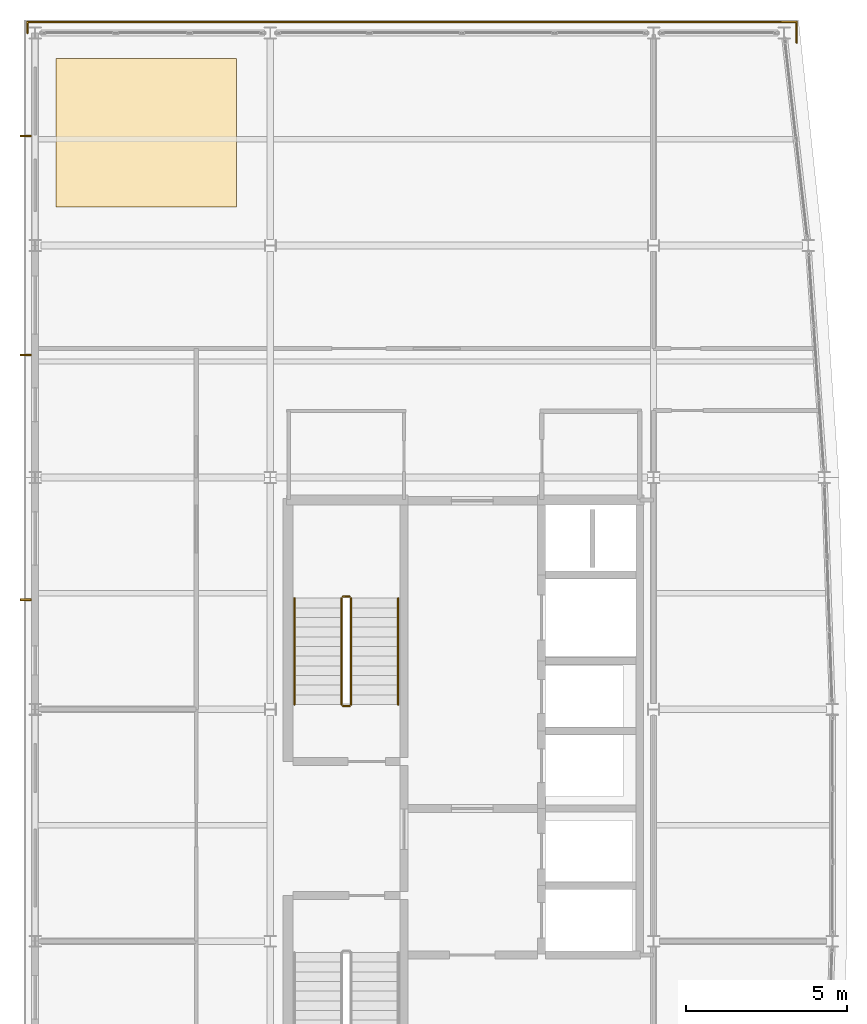
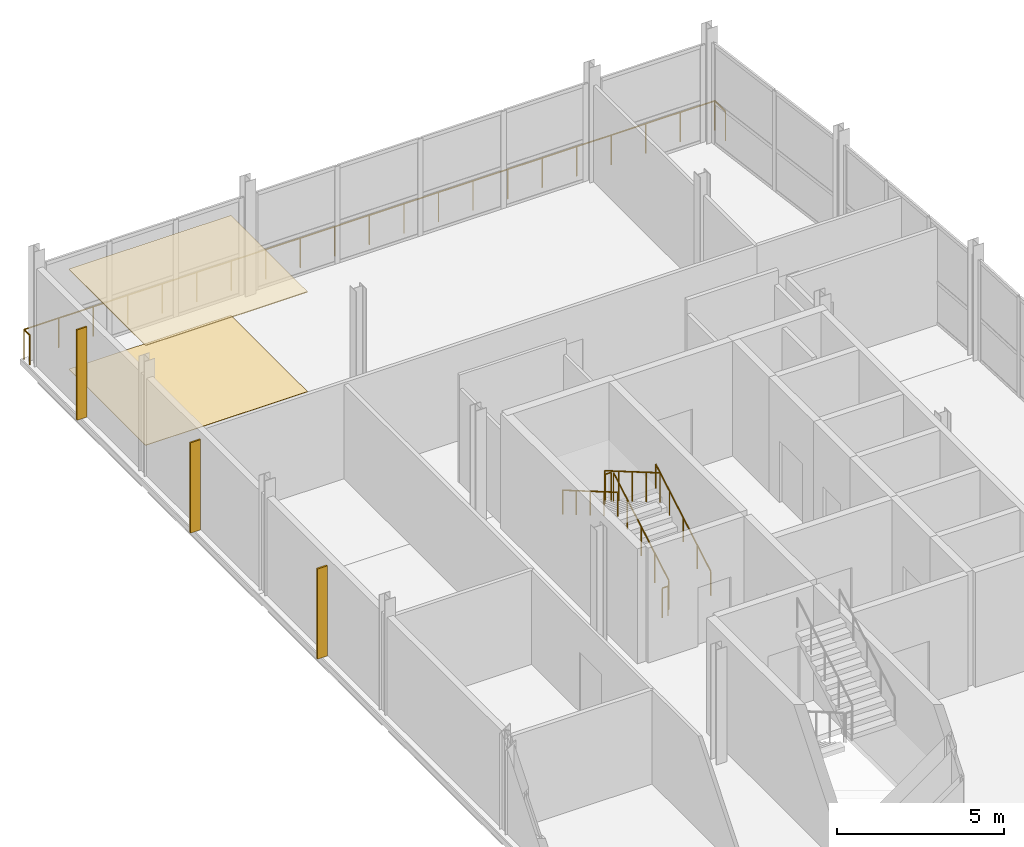
# One storey, part 17 of 17: 7 railings, 3 shading devices, 2 coverings.
"""IFC4 building model written with IfcOpenShell, lengths in metres."""

from ifc_helpers import new_model, si_unit, direction, frame, origin, origin_2d, place, context, subcontext, project, spatial, polyline, rectangle, circle, outline, extrude, material, layer, layer_set, type_object, element, save


model = new_model("IFC4")

# Units and contexts
model_context = context("Model", 3, precision=1e-05, world=origin(), true_north=direction((0.0, 1.0)))
body_context = subcontext(model_context, "Body", "Model", "MODEL_VIEW")
ifc_project = project(units=[si_unit("LENGTHUNIT", "METRE"), si_unit("AREAUNIT", "SQUARE_METRE"), si_unit("VOLUMEUNIT", "CUBIC_METRE"), si_unit("PLANEANGLEUNIT", "RADIAN"), si_unit("MASSUNIT", "GRAM", prefix="KILO")], contexts=[model_context])

# Site, building, storey
site_placement = place(None, origin())
site = spatial("IfcSite", under=ifc_project, at=site_placement, CompositionType="ELEMENT")
building_placement = place(site_placement, origin())
building = spatial("IfcBuilding", under=site, at=building_placement, Name="Quillay Park Conservatory", CompositionType="ELEMENT")
storey_placement = place(building_placement, frame((0.0, 0.0, 56.10009765625)))
storey = spatial("IfcBuildingStorey", under=building, at=storey_placement, Name="L13", CompositionType="ELEMENT", Elevation=56.10009765625)

# Coverings
ifc_material_1 = material(Name="Perforated Mineral-Fibre Acoustic Ceiling")
ifc_layer_1 = layer(ifc_material_1, 0.030029296875)
ifc_layer_set_1 = layer_set([ifc_layer_1], Name="LABORATORY HYGIENIC CEILING 30 (Perforated Mineral-Fibre Acoustic Ceiling)")
covering_type_1 = type_object("IfcCoveringType", Name="LABORATORY HYGIENIC CEILING 30", PredefinedType="CEILING", material=ifc_layer_set_1)
covering_1_placement = place(storey_placement, frame((0.0, 0.0, 3.641845703125)))
element("IfcCovering", 1, at=covering_1_placement, inside=storey, type_object=covering_type_1, Name="L13 Suspended Acoustic Ceiling", PredefinedType="CEILING", context=body_context, shape_type="SweptSolid", body=[
    extrude(outline(polyline([(1.199951171875, 108.0), (6.800048828125, 108.0), (6.800048828125, 112.60009765625), (1.199951171875, 112.60009765625), (1.199951171875, 108.0)])), origin(), (0.0, 0.0, 1.0), 0.030029296875),
])
ifc_material_2 = material(Name="Seamless Chemical-Resistant Epoxy Flooring")
ifc_layer_2 = layer(ifc_material_2, 0.01806640625)
ifc_layer_set_2 = layer_set([ifc_layer_2], Name="SEAMLESS EPOXY LAB FLOORING 18 (Seamless Chemical-Resistant Epoxy Flooring)")
covering_type_2 = type_object("IfcCoveringType", Name="SEAMLESS EPOXY LAB FLOORING 18", PredefinedType="FLOORING", material=ifc_layer_set_2)
covering_2_placement = place(storey_placement, origin())
element("IfcCovering", 2, at=covering_2_placement, inside=storey, type_object=covering_type_2, Name="L13 Interior Flooring Finish", PredefinedType="FLOORING", context=body_context, shape_type="SweptSolid", body=[
    extrude(outline(polyline([(1.199951171875, 108.0), (6.800048828125, 108.0), (6.800048828125, 112.60009765625), (1.199951171875, 112.60009765625), (1.199951171875, 108.0)])), origin(), (0.0, 0.0, 1.0), 0.017822265625),
])

# Railings
ifc_material_3 = material(Name="Steel S355J2H", Category="steel")
railing_type_1 = type_object("IfcRailingType", Name="STAIR WALL HANDRAIL 900", PredefinedType="HANDRAIL", material=ifc_material_3)
railing_1_placement = place(storey_placement, frame((11.820068359375, 92.550048828125, 0.1748046875)))
element("IfcRailing", 3, at=railing_1_placement, inside=storey, type_object=railing_type_1, Name="L13 ST-T1 stair handrail 1", PredefinedType="HANDRAIL", context=body_context, shape_type="SweptSolid", body=[
    extrude(circle(Radius=0.02392578125, at=origin_2d()), frame((0.0, 0.0, 0.8759765625), z_axis=(0.0, 0.863776583165, 0.503874998761), x_axis=(-1.0, 0.0, 0.0)), (0.0, 0.0, 1.0), 3.820556640625),
    extrude(circle(Radius=0.02099609375, at=origin_2d()), origin(), (0.0, 0.0, 1.0), 0.851806640625),
    extrude(circle(Radius=0.02099609375, at=origin_2d()), frame((0.0, 0.824951171875, 0.481201171875)), (0.0, 0.0, 1.0), 0.851806640625),
    extrude(circle(Radius=0.02099609375, at=origin_2d()), frame((0.0, 1.64990234375, 0.96240234375)), (0.0, 0.0, 1.0), 0.851806640625),
    extrude(circle(Radius=0.02099609375, at=origin_2d()), frame((0.0, 2.47509765625, 1.44384765625)), (0.0, 0.0, 1.0), 0.851806640625),
    extrude(circle(Radius=0.02099609375, at=origin_2d()), frame((0.0, 3.300048828125, 1.925048828125)), (0.0, 0.0, 1.0), 0.851806640625),
])
railing_2_placement = place(storey_placement, frame((8.60009765625, 95.85009765625, 2.27490234375)))
element("IfcRailing", 4, at=railing_2_placement, inside=storey, type_object=railing_type_1, Name="L13 ST-T1 stair handrail 2", PredefinedType="HANDRAIL", context=body_context, shape_type="SweptSolid", body=[
    extrude(circle(Radius=0.02392578125, at=origin_2d()), frame((0.0, 0.0, 0.8759765625), z_axis=(0.0, -0.863776583165, 0.503874998761), x_axis=(1.0, 0.0, 0.0)), (0.0, 0.0, 1.0), 3.820556640625),
    extrude(circle(Radius=0.02099609375, at=origin_2d()), origin(), (0.0, 0.0, 1.0), 0.851806640625),
    extrude(circle(Radius=0.02099609375, at=origin_2d()), frame((0.0, -0.824951171875, 0.481201171875)), (0.0, 0.0, 1.0), 0.851806640625),
    extrude(circle(Radius=0.02099609375, at=origin_2d()), frame((0.0, -1.64990234375, 0.96240234375)), (0.0, 0.0, 1.0), 0.851806640625),
    extrude(circle(Radius=0.02099609375, at=origin_2d()), frame((0.0, -2.47509765625, 1.44384765625)), (0.0, 0.0, 1.0), 0.851806640625),
    extrude(circle(Radius=0.02099609375, at=origin_2d()), frame((0.0, -3.300048828125, 1.925048828125)), (0.0, 0.0, 1.0), 0.851806640625),
])
ifc_material_4 = material(Name="Steel S355J2H", Category="steel")
railing_type_2 = type_object("IfcRailingType", Name="STAIR WELL GUARDRAIL 1100", PredefinedType="GUARDRAIL", material=ifc_material_4)
railing_3_placement = place(storey_placement, frame((10.360107421875, 92.550048828125, 0.1748046875)))
element("IfcRailing", 5, at=railing_3_placement, inside=storey, type_object=railing_type_2, Name="L13 ST-T1 stair guard 1", PredefinedType="GUARDRAIL", context=body_context, shape_type="SweptSolid", body=[
    extrude(circle(Radius=0.02392578125, at=origin_2d()), frame((0.0, 0.0, 1.076171875), z_axis=(0.0, 0.863776583165, 0.503874998761), x_axis=(-1.0, 0.0, 0.0)), (0.0, 0.0, 1.0), 3.820556640625),
    extrude(circle(Radius=0.02099609375, at=origin_2d()), origin(), (0.0, 0.0, 1.0), 1.052001953125),
    extrude(circle(Radius=0.02099609375, at=origin_2d()), frame((0.0, 0.824951171875, 0.481201171875)), (0.0, 0.0, 1.0), 1.052001953125),
    extrude(circle(Radius=0.02099609375, at=origin_2d()), frame((0.0, 1.64990234375, 0.96240234375)), (0.0, 0.0, 1.0), 1.052001953125),
    extrude(circle(Radius=0.02099609375, at=origin_2d()), frame((0.0, 2.47509765625, 1.44384765625)), (0.0, 0.0, 1.0), 1.052001953125),
    extrude(circle(Radius=0.02099609375, at=origin_2d()), frame((0.0, 3.300048828125, 1.925048828125)), (0.0, 0.0, 1.0), 1.052001953125),
])
railing_4_placement = place(storey_placement, frame((10.31005859375, 95.89990234375, 2.099853515625)))
element("IfcRailing", 6, at=railing_4_placement, inside=storey, type_object=railing_type_2, Name="L13 ST-T1 stair guard 2", PredefinedType="GUARDRAIL", context=body_context, shape_type="SweptSolid", body=[
    extrude(circle(Radius=0.02392578125, at=origin_2d()), frame((0.0, 0.0, 1.076171875), z_axis=(-1.0, 0.0, 0.0), x_axis=(0.0, -1.0, 0.0)), (0.0, 0.0, 1.0), 0.199951171875),
    extrude(circle(Radius=0.02099609375, at=origin_2d()), origin(), (0.0, 0.0, 1.0), 1.052001953125),
    extrude(circle(Radius=0.02099609375, at=origin_2d()), frame((-0.199951171875, 0.0, 0.0)), (0.0, 0.0, 1.0), 1.052001953125),
])
railing_5_placement = place(storey_placement, frame((10.06005859375, 95.85009765625, 2.27490234375)))
element("IfcRailing", 7, at=railing_5_placement, inside=storey, type_object=railing_type_2, Name="L13 ST-T1 stair guard 3", PredefinedType="GUARDRAIL", context=body_context, shape_type="SweptSolid", body=[
    extrude(circle(Radius=0.02392578125, at=origin_2d()), frame((0.0, 0.0, 1.076171875), z_axis=(0.0, -0.863776583165, 0.503874998761), x_axis=(1.0, 0.0, 0.0)), (0.0, 0.0, 1.0), 3.820556640625),
    extrude(circle(Radius=0.02099609375, at=origin_2d()), origin(), (0.0, 0.0, 1.0), 1.052001953125),
    extrude(circle(Radius=0.02099609375, at=origin_2d()), frame((0.0, -0.824951171875, 0.481201171875)), (0.0, 0.0, 1.0), 1.052001953125),
    extrude(circle(Radius=0.02099609375, at=origin_2d()), frame((0.0, -1.64990234375, 0.96240234375)), (0.0, 0.0, 1.0), 1.052001953125),
    extrude(circle(Radius=0.02099609375, at=origin_2d()), frame((0.0, -2.47509765625, 1.44384765625)), (0.0, 0.0, 1.0), 1.052001953125),
    extrude(circle(Radius=0.02099609375, at=origin_2d()), frame((0.0, -3.300048828125, 1.925048828125)), (0.0, 0.0, 1.0), 1.052001953125),
])
railing_6_placement = place(storey_placement, frame((10.31005859375, 92.5, 0.0)))
element("IfcRailing", 8, at=railing_6_placement, inside=storey, type_object=railing_type_2, Name="L13 ST-T1 stair guard 4", PredefinedType="GUARDRAIL", context=body_context, shape_type="SweptSolid", body=[
    extrude(circle(Radius=0.02392578125, at=origin_2d()), frame((0.0, 0.0, 1.076171875), z_axis=(-1.0, 0.0, 0.0), x_axis=(0.0, -1.0, 0.0)), (0.0, 0.0, 1.0), 0.199951171875),
    extrude(circle(Radius=0.02099609375, at=origin_2d()), origin(), (0.0, 0.0, 1.0), 1.052001953125),
    extrude(circle(Radius=0.02099609375, at=origin_2d()), frame((-0.199951171875, 0.0, 0.0)), (0.0, 0.0, 1.0), 1.052001953125),
])
ifc_material_5 = material(Name="Steel S355J2H", Category="steel")
railing_type_3 = type_object("IfcRailingType", Name="TERRACE PERIMETER GUARDRAIL 1100", PredefinedType="GUARDRAIL", material=ifc_material_5)
railing_7_placement = place(storey_placement, frame((0.31005859375, 113.39990234375, 0.0)))
element("IfcRailing", 9, at=railing_7_placement, inside=storey, type_object=railing_type_3, Name="L13 Perimeter Safety Guardrail 039", PredefinedType="GUARDRAIL", context=body_context, shape_type="SweptSolid", body=[
    extrude(circle(Radius=0.02392578125, at=origin_2d()), frame((0.0, 0.0, 1.076171875), z_axis=(0.0, 1.0, 0.0), x_axis=(-1.0, 0.0, 0.0)), (0.0, 0.0, 1.0), 0.340087890625),
    extrude(circle(Radius=0.02392578125, at=origin_2d()), frame((0.0, 0.340087890625, 1.076171875), z_axis=(1.0, 0.0, 0.0), x_axis=(0.0, 1.0, 0.0)), (0.0, 0.0, 1.0), 23.8798828125),
    extrude(circle(Radius=0.02392578125, at=origin_2d()), frame((23.8798828125, 0.340087890625, 1.076171875), z_axis=(0.0, -1.0, 0.0), x_axis=(1.0, 0.0, 0.0)), (0.0, 0.0, 1.0), 0.639892578125),
    extrude(circle(Radius=0.02099609375, at=origin_2d()), origin(), (0.0, 0.0, 1.0), 1.052001953125),
    extrude(circle(Radius=0.02099609375, at=origin_2d()), frame((0.0, 0.340087890625, 0.0)), (0.0, 0.0, 1.0), 1.052001953125),
    extrude(circle(Radius=0.02099609375, at=origin_2d()), frame((1.194091796875, 0.340087890625, 0.0)), (0.0, 0.0, 1.0), 1.052001953125),
    extrude(circle(Radius=0.02099609375, at=origin_2d()), frame((2.387939453125, 0.340087890625, 0.0)), (0.0, 0.0, 1.0), 1.052001953125),
    extrude(circle(Radius=0.02099609375, at=origin_2d()), frame((3.58203125, 0.340087890625, 0.0)), (0.0, 0.0, 1.0), 1.052001953125),
    extrude(circle(Radius=0.02099609375, at=origin_2d()), frame((4.77587890625, 0.340087890625, 0.0)), (0.0, 0.0, 1.0), 1.052001953125),
    extrude(circle(Radius=0.02099609375, at=origin_2d()), frame((5.969970703125, 0.340087890625, 0.0)), (0.0, 0.0, 1.0), 1.052001953125),
    extrude(circle(Radius=0.02099609375, at=origin_2d()), frame((7.1640625, 0.340087890625, 0.0)), (0.0, 0.0, 1.0), 1.052001953125),
    extrude(circle(Radius=0.02099609375, at=origin_2d()), frame((8.35791015625, 0.340087890625, 0.0)), (0.0, 0.0, 1.0), 1.052001953125),
    extrude(circle(Radius=0.02099609375, at=origin_2d()), frame((9.552001953125, 0.340087890625, 0.0)), (0.0, 0.0, 1.0), 1.052001953125),
    extrude(circle(Radius=0.02099609375, at=origin_2d()), frame((10.745849609375, 0.340087890625, 0.0)), (0.0, 0.0, 1.0), 1.052001953125),
    extrude(circle(Radius=0.02099609375, at=origin_2d()), frame((11.93994140625, 0.340087890625, 0.0)), (0.0, 0.0, 1.0), 1.052001953125),
    extrude(circle(Radius=0.02099609375, at=origin_2d()), frame((13.134033203125, 0.340087890625, 0.0)), (0.0, 0.0, 1.0), 1.052001953125),
    extrude(circle(Radius=0.02099609375, at=origin_2d()), frame((14.327880859375, 0.340087890625, 0.0)), (0.0, 0.0, 1.0), 1.052001953125),
    extrude(circle(Radius=0.02099609375, at=origin_2d()), frame((15.52197265625, 0.340087890625, 0.0)), (0.0, 0.0, 1.0), 1.052001953125),
    extrude(circle(Radius=0.02099609375, at=origin_2d()), frame((16.7158203125, 0.340087890625, 0.0)), (0.0, 0.0, 1.0), 1.052001953125),
    extrude(circle(Radius=0.02099609375, at=origin_2d()), frame((17.909912109375, 0.340087890625, 0.0)), (0.0, 0.0, 1.0), 1.052001953125),
    extrude(circle(Radius=0.02099609375, at=origin_2d()), frame((19.10400390625, 0.340087890625, 0.0)), (0.0, 0.0, 1.0), 1.052001953125),
    extrude(circle(Radius=0.02099609375, at=origin_2d()), frame((20.2978515625, 0.340087890625, 0.0)), (0.0, 0.0, 1.0), 1.052001953125),
    extrude(circle(Radius=0.02099609375, at=origin_2d()), frame((21.491943359375, 0.340087890625, 0.0)), (0.0, 0.0, 1.0), 1.052001953125),
    extrude(circle(Radius=0.02099609375, at=origin_2d()), frame((22.685791015625, 0.340087890625, 0.0)), (0.0, 0.0, 1.0), 1.052001953125),
    extrude(circle(Radius=0.02099609375, at=origin_2d()), frame((23.8798828125, 0.340087890625, 0.0)), (0.0, 0.0, 1.0), 1.052001953125),
    extrude(circle(Radius=0.02099609375, at=origin_2d()), frame((23.8798828125, -0.2998046875, 0.0)), (0.0, 0.0, 1.0), 1.052001953125),
])

# Shading devices
ifc_material_6 = material(Name="Perforated Copper-Bronze Anodised Aluminium", Category="aluminium")
shading_device_type = type_object("IfcShadingDeviceType", Name="COPPER BRONZE SOLAR FIN", PredefinedType="USERDEFINED", material=ifc_material_6)
for number, where, z_axis, x_axis, name in (
    (10, (0.2548828125, 95.800048828125, 0.0), (0.0, 0.0, 1.0), (1.0, 0.0, 0.0), "L13 Perforated Copper-Bronze Solar Fin 048"),
    (11, (0.2548828125, 103.39990234375, 0.0), (0.0, 0.0, 1.0), (1.0, 0.0, 0.0), "L13 Perforated Copper-Bronze Solar Fin 049"),
    (12, (0.2548828125, 110.199951171875, 0.0), (0.0, 0.0, 1.0), (1.0, 0.0, 0.0), "L13 Perforated Copper-Bronze Solar Fin 050"),
):
    element("IfcShadingDevice", number, at=place(storey_placement, frame(where, z_axis=z_axis, x_axis=x_axis)), inside=storey, type_object=shading_device_type, Name=name, ObjectType="SOLAR FIN", PredefinedType="USERDEFINED", context=body_context, shape_type="SweptSolid", body=[
        extrude(rectangle(XDim=0.35009765625, YDim=0.054931640625, at=origin_2d()), origin(), (0.0, 0.0, 1.0), 3.300048828125),
    ])

save(model, "model.ifc")
